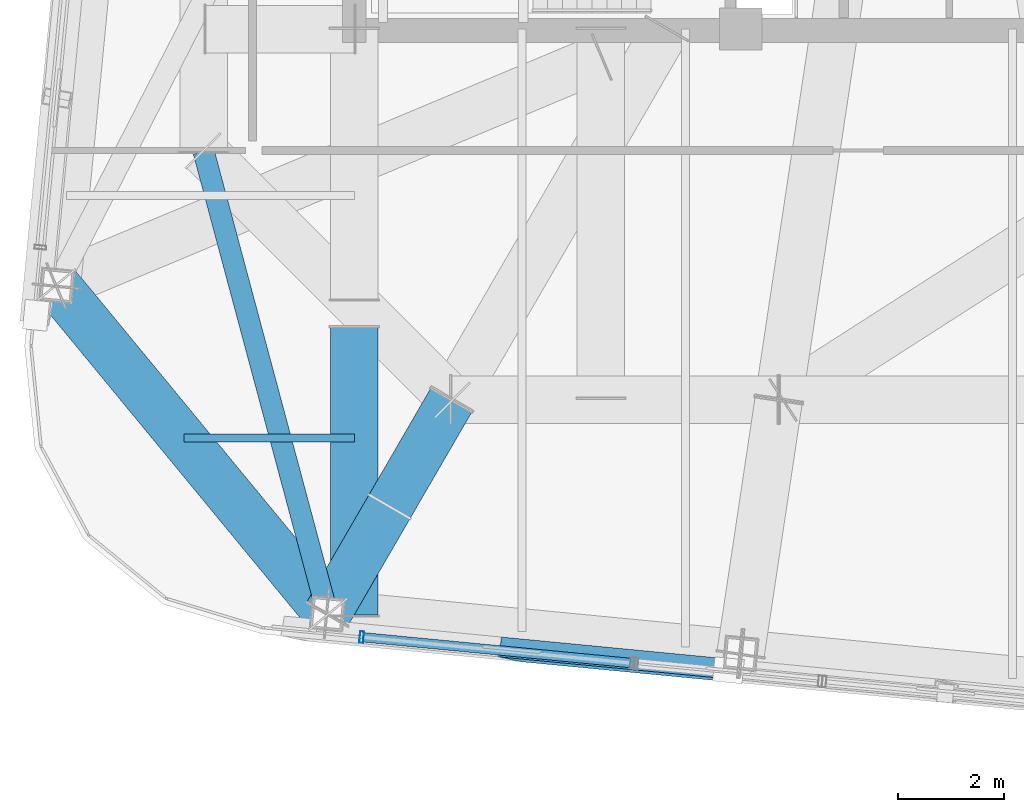
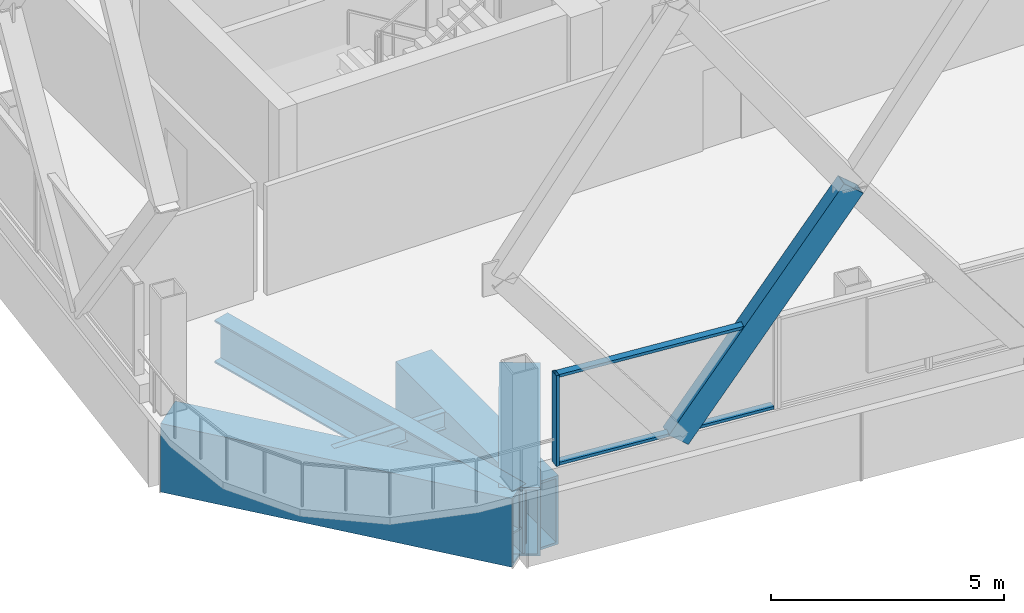
# One storey, part 2 of 31: 5 beams, 4 members, 1 element without a shape of its own.
"""IFC4 building model written with IfcOpenShell, lengths in metres."""

from ifc_helpers import new_model, si_unit, direction, frame, origin, origin_2d, place, context, subcontext, project, spatial, hollow_rectangle, i_section, extrude, material, layer, layer_set, material_profile, profile_set, type_object, element, aggregate, save


model = new_model("IFC4")

# Units and contexts
model_context = context("Model", 3, precision=1e-05, world=origin(), true_north=direction((0.0, 1.0)))
body_context = subcontext(model_context, "Body", "Model", "MODEL_VIEW")
ifc_project = project(units=[si_unit("LENGTHUNIT", "METRE"), si_unit("AREAUNIT", "SQUARE_METRE"), si_unit("VOLUMEUNIT", "CUBIC_METRE"), si_unit("PLANEANGLEUNIT", "RADIAN"), si_unit("MASSUNIT", "GRAM", prefix="KILO")], contexts=[model_context])

# Site, building, storey
site_placement = place(None, origin())
site = spatial("IfcSite", under=ifc_project, at=site_placement, CompositionType="ELEMENT")
building_placement = place(site_placement, origin())
building = spatial("IfcBuilding", under=site, at=building_placement, Name="Qhalaya Broadcast Tower", CompositionType="ELEMENT")
storey_placement = place(building_placement, frame((0.0, 0.0, 242.85009765625)))
storey = spatial("IfcBuildingStorey", under=building, at=storey_placement, Name="L71", CompositionType="ELEMENT", Elevation=242.85009765625)

# Beams
ifc_material_1 = material(Name="Structural Steel ASTM A572 Grade 50", Category="steel")
ifc_material_profile_1 = material_profile(ifc_material_1, hollow_rectangle(XDim=0.89990234375, YDim=1.800048828125, WallThickness=0.06005859375, at=origin_2d()), Name="BOX 900x1800x60")
ifc_profile_set_1 = profile_set([ifc_material_profile_1], Name="Structural Steel ASTM A572 Grade 50")
beam_type_1 = type_object("IfcBeamType", Name="Block Cantilever Transfer Box Girder TG1", PredefinedType="USERDEFINED", material=ifc_profile_set_1)
beam_1_placement = place(storey_placement, frame((-15.010498046875, -13.6083984375, -1.090087890625), z_axis=(0.636070241972, -0.771631160126, 0.0), x_axis=(0.771631160126, 0.636070241972, 0.0)))
element("IfcBeam", 1, at=beam_1_placement, inside=storey, type_object=beam_type_1, Name="L71 TG1 L71-SPR-16", ObjectType="GIRDER", PredefinedType="USERDEFINED", context=body_context, shape_type="SweptSolid", body=[
    extrude(hollow_rectangle(XDim=0.89990234375, YDim=1.800048828125, WallThickness=0.06005859375, at=origin_2d()), origin(), (0.0, 0.0, 1.0), 8.06103515625),
])
beam_2_placement = place(storey_placement, frame((-7.530029296875, -15.77001953125, -1.090087890625), z_axis=(-0.501565434256, -0.865119711462, 0.0), x_axis=(0.865119711462, -0.501565434256, 0.0)))
element("IfcBeam", 2, at=beam_2_placement, inside=storey, type_object=beam_type_1, Name="L71 Cantilever Transfer Box Girder 01", ObjectType="GIRDER", PredefinedType="USERDEFINED", context=body_context, shape_type="SweptSolid", body=[
    extrude(hollow_rectangle(XDim=0.89990234375, YDim=1.800048828125, WallThickness=0.06005859375, at=origin_2d()), origin(), (0.0, 0.0, 1.0), 4.69140625),
])
beam_3_placement = place(storey_placement, frame((-9.375, -19.857421875, -1.090087890625), z_axis=(0.0, 1.0, 0.0), x_axis=(-1.0, 0.0, 0.0)))
element("IfcBeam", 3, at=beam_3_placement, inside=storey, type_object=beam_type_1, Name="L71 TG1 L71-PGXS1-OV1", ObjectType="GIRDER", PredefinedType="USERDEFINED", context=body_context, shape_type="SweptSolid", body=[
    extrude(hollow_rectangle(XDim=0.89990234375, YDim=1.800048828125, WallThickness=0.06005859375, at=origin_2d()), origin(), (0.0, 0.0, 1.0), 5.45166015625),
])
ifc_material_2 = material(Name="Structural Steel ASTM A992 Grade 50", Category="steel")
ifc_material_profile_2 = material_profile(ifc_material_2, i_section(OverallWidth=0.154052734375, OverallDepth=0.458984375, WebThickness=0.009033203125, FlangeThickness=0.015380859375, at=origin_2d()), Name="W18X46")
ifc_profile_set_2 = profile_set([ifc_material_profile_2], Name="Structural Steel ASTM A992 Grade 50")
beam_type_2 = type_object("IfcBeamType", Name="Composite Floor Joist J04", PredefinedType="JOIST", material=ifc_profile_set_2)
beam_4_placement = place(storey_placement, frame((-12.600830078125, -16.5, -0.419677734375), z_axis=(1.0, 0.0, 0.0), x_axis=(0.0, 1.0, 0.0)))
element("IfcBeam", 4, at=beam_4_placement, inside=storey, type_object=beam_type_2, Name="L71 J04 L71-JWE1W-1", PredefinedType="JOIST", context=body_context, shape_type="SweptSolid", body=[
    extrude(i_section(OverallWidth=0.154052734375, OverallDepth=0.458984375, WebThickness=0.009033203125, FlangeThickness=0.015380859375, at=origin_2d()), origin(), (0.0, 0.0, 1.0), 3.225830078125),
])

# Member
ifc_material_profile_3 = material_profile(ifc_material_1, hollow_rectangle(XDim=0.3798828125, YDim=0.550048828125, WallThickness=0.02490234375, at=origin_2d()), Name="BOX 380x550x25")
ifc_profile_set_3 = profile_set([ifc_material_profile_3], Name="Structural Steel ASTM A572 Grade 50")
member_type_1 = type_object("IfcMemberType", Name="Exoskeleton Diamond Diagonal Upper EX4", PredefinedType="BRACE", material=ifc_profile_set_3)
member_1_placement = place(storey_placement, frame((-6.3984375, -20.505615234375, 0.35986328125), z_axis=(0.605364209609, -0.058266125563, 0.793813096602), x_axis=(0.171099496091, 0.983527971346, -0.058289724799)))
element("IfcMember", 5, at=member_1_placement, inside=storey, type_object=member_type_1, Name="B6 Exoskeleton Diamond Brace S1-D2", PredefinedType="BRACE", context=body_context, shape_type="SweptSolid", body=[
    extrude(hollow_rectangle(XDim=0.3798828125, YDim=0.550048828125, WallThickness=0.02490234375, at=origin_2d()), origin(), (0.0, 0.0, 1.0), 6.79638671875),
])

# Beam
ifc_material_profile_4 = material_profile(ifc_material_2, i_section(OverallWidth=0.404052734375, OverallDepth=1.117919921875, WebThickness=0.026123046875, FlangeThickness=0.044921875, at=origin_2d()), Name="W44X335")
ifc_profile_set_4 = profile_set([ifc_material_profile_4], Name="Structural Steel ASTM A992 Grade 50")
beam_type_3 = type_object("IfcBeamType", Name="Podium Long-Span Primary Girder PG1", PredefinedType="USERDEFINED", material=ifc_profile_set_4)
beam_5_placement = place(storey_placement, frame((-12.22998046875, -11.070068359375, -0.7490234375), z_axis=(0.25882715221, -0.96592365396, 0.0), x_axis=(0.96592365396, 0.25882715221, 0.0)))
element("IfcBeam", 6, at=beam_5_placement, inside=storey, type_object=beam_type_3, Name="L71 Column-to-Column Moment Tie Girder 01-2", ObjectType="GIRDER", PredefinedType="USERDEFINED", context=body_context, shape_type="SweptSolid", body=[
    extrude(i_section(OverallWidth=0.404052734375, OverallDepth=1.117919921875, WebThickness=0.026123046875, FlangeThickness=0.044921875, at=origin_2d()), origin(), (0.0, 0.0, 1.0), 9.067626953125),
])

# Curtain wall, members
ifc_material_3 = material(Name="Fired Architectural Terracotta", Category="masonry")
ifc_layer = layer(ifc_material_3, 0.219970703125, Name="Fired Architectural Terracotta")
ifc_layer_set = layer_set([ifc_layer], Name="Fired Architectural Terracotta")
curtain_wall_type = type_object("IfcCurtainWallType", Name="Block-Cap Unitised Terracotta Spandrel Wall CW-07", PredefinedType="NOTDEFINED", material=ifc_layer_set)
curtain_wall_placement = place(storey_placement, origin())
curtain_wall = element("IfcCurtainWall", 7, at=curtain_wall_placement, inside=storey, type_object=curtain_wall_type, Name="L71 Unitised Curtain Wall L71-CW-S1", PredefinedType="NOTDEFINED")
ifc_material_4 = material(Name="Anodised Aluminium 6063-T6", Category="aluminium")
ifc_material_profile_5 = material_profile(ifc_material_4, hollow_rectangle(XDim=0.074951171875, YDim=0.219970703125, WallThickness=0.00390625, at=origin_2d()), Name="ALU-MUL 75x220x4")
ifc_profile_set_5 = profile_set([ifc_material_profile_5], Name="Anodised Aluminium 6063-T6")
member_type_2 = type_object("IfcMemberType", Name="Unitised Curtain-Wall Mullion M01", PredefinedType="MULLION", material=ifc_profile_set_5)
member_2_placement = place(storey_placement, frame((-9.235107421875, -20.272705078125, 0.47998046875), z_axis=(0.0, 0.0, 1.0), x_axis=(0.995395942778, -0.095848406879, 0.0)))
member_2 = element("IfcMember", 8, at=member_2_placement, type_object=member_type_2, Name="CW-07 mullion 1", PredefinedType="MULLION", context=body_context, shape_type="SweptSolid", body=[
    extrude(hollow_rectangle(XDim=0.074951171875, YDim=0.219970703125, WallThickness=0.00390625, at=origin_2d()), origin(), (0.0, 0.0, 1.0), 2.3798828125),
])
ifc_material_profile_6 = material_profile(ifc_material_4, hollow_rectangle(XDim=0.074951171875, YDim=0.179931640625, WallThickness=0.00390625, at=origin_2d()), Name="ALU-TRN 75x180x4")
ifc_profile_set_6 = profile_set([ifc_material_profile_6], Name="Anodised Aluminium 6063-T6")
member_type_3 = type_object("IfcMemberType", Name="Unitised Curtain-Wall Transom T01", PredefinedType="USERDEFINED", material=ifc_profile_set_6)
member_3_placement = place(storey_placement, frame((-9.19775390625, -20.276123046875, 0.517333984375), z_axis=(0.995394830127, -0.095859961171, 0.0), x_axis=(0.0, 0.0, 1.0)))
member_3 = element("IfcMember", 9, at=member_3_placement, type_object=member_type_3, Name="CW-07 transom 1.1", ObjectType="TRANSOM", PredefinedType="USERDEFINED", context=body_context, shape_type="SweptSolid", body=[
    extrude(hollow_rectangle(XDim=0.074951171875, YDim=0.179931640625, WallThickness=0.00390625, at=origin_2d()), origin(), (0.0, 0.0, 1.0), 5.075927734375),
])
member_4_placement = place(storey_placement, frame((-9.19775390625, -20.276123046875, 2.822509765625), z_axis=(0.995394830127, -0.095859961171, 0.0), x_axis=(0.0, 0.0, 1.0)))
member_4 = element("IfcMember", 10, at=member_4_placement, type_object=member_type_3, Name="CW-07 transom 1.2", ObjectType="TRANSOM", PredefinedType="USERDEFINED", context=body_context, shape_type="SweptSolid", body=[
    extrude(hollow_rectangle(XDim=0.074951171875, YDim=0.179931640625, WallThickness=0.00390625, at=origin_2d()), origin(), (0.0, 0.0, 1.0), 5.075927734375),
])
aggregate(curtain_wall, [member_2, member_3, member_4])

save(model, "model.ifc")
